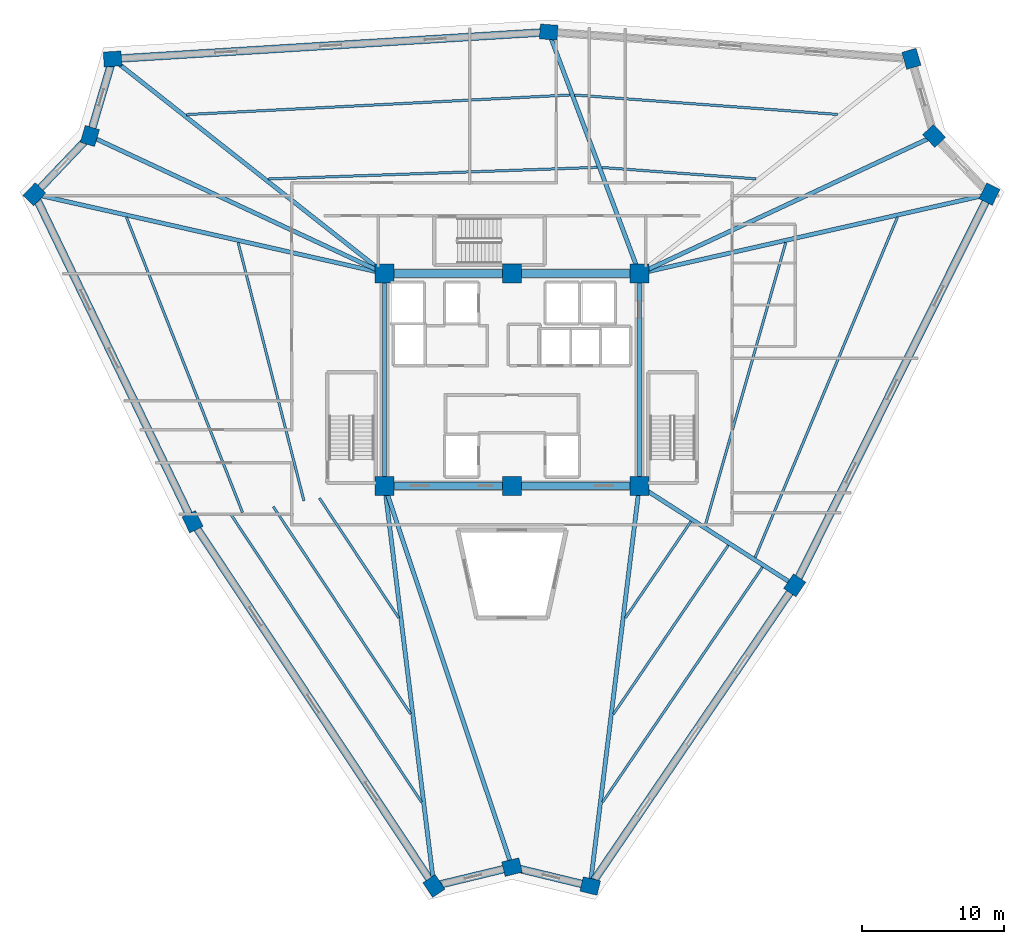
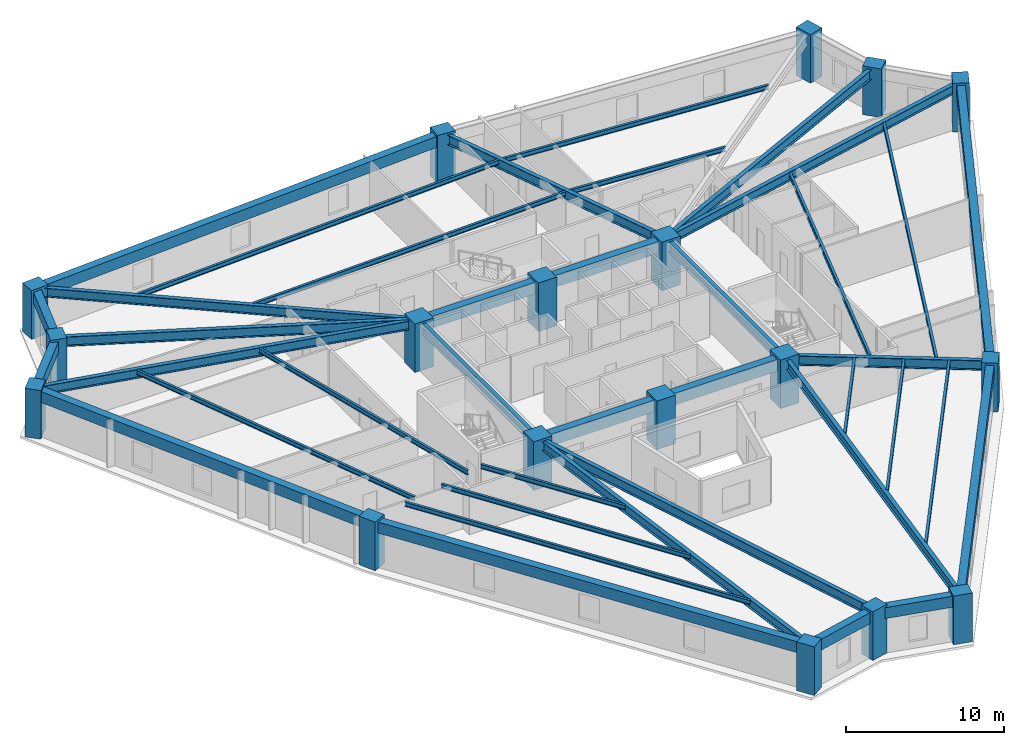
# One storey, part 1 of 8: 39 beams, 18 columns.
"""IFC4 building model written with IfcOpenShell, lengths in metres."""

from ifc_helpers import new_model, si_unit, direction, frame, origin, origin_2d, place, context, subcontext, project, spatial, rectangle, i_section, extrude, source, transform, mapped, material, material_profile, profile_set, type_object, element, save


model = new_model("IFC4")

# Units and contexts
model_context = context("Model", 3, precision=1e-05, world=origin(), true_north=direction((0.0, 1.0)))
body_context = subcontext(model_context, "Body", "Model", "MODEL_VIEW")
ifc_project = project(units=[si_unit("LENGTHUNIT", "METRE"), si_unit("AREAUNIT", "SQUARE_METRE"), si_unit("VOLUMEUNIT", "CUBIC_METRE"), si_unit("PLANEANGLEUNIT", "RADIAN"), si_unit("MASSUNIT", "GRAM", prefix="KILO")], contexts=[model_context])

# Site, building, storey
site_placement = place(None, origin())
site = spatial("IfcSite", under=ifc_project, at=site_placement, CompositionType="ELEMENT")
building_placement = place(site_placement, origin())
building = spatial("IfcBuilding", under=site, at=building_placement, Name="Liaohun Quay Tower", CompositionType="ELEMENT")
storey_placement = place(building_placement, frame((0.0, 0.0, 201.75)))
storey = spatial("IfcBuildingStorey", under=building, at=storey_placement, Name="L52", CompositionType="ELEMENT", Elevation=201.75)

# Columns
ifc_material_1 = material(Name="Concrete C55", Category="concrete")
ifc_material_profile_1 = material_profile(ifc_material_1, rectangle(XDim=1.35009765625, YDim=1.35009765625, at=origin_2d()), Name="RC1350x1350")
ifc_profile_set_1 = profile_set([ifc_material_profile_1], Name="Concrete C55")
column_type_1 = type_object("IfcColumnType", Name="COL-CC-Z3", PredefinedType="COLUMN", material=ifc_profile_set_1)
shared_shape_1 = source(origin(), body_context, "Body", "SweptSolid", [
    extrude(rectangle(XDim=1.35009765625, YDim=1.35009765625, at=origin_2d()), origin(), (0.0, 0.0, 1.0), 3.75),
])
for number, where, z_axis, x_axis, name in (
    (1, (51.0, 46.5, 0.0), (0.0, 0.0, 1.0), (1.0, 0.0, 0.0), "L52 Core Column CC1"),
    (2, (60.0, 46.5, 0.0), (0.0, 0.0, 1.0), (1.0, 0.0, 0.0), "L52 Core Column CC2"),
    (3, (69.0, 46.5, 0.0), (0.0, 0.0, 1.0), (1.0, 0.0, 0.0), "L52 Core Column CC3"),
    (4, (69.0, 61.5, 0.0), (0.0, 0.0, 1.0), (1.0, 0.0, 0.0), "L52 Core Column CC4"),
    (5, (60.0, 61.5, 0.0), (0.0, 0.0, 1.0), (1.0, 0.0, 0.0), "L52 Core Column CC5"),
    (6, (51.0, 61.5, 0.0), (0.0, 0.0, 1.0), (1.0, 0.0, 0.0), "L52 Core Column CC6"),
):
    element("IfcColumn", number, at=place(storey_placement, frame(where, z_axis=z_axis, x_axis=x_axis)), inside=storey, type_object=column_type_1, Name=name, PredefinedType="COLUMN", context=body_context, shape_type="MappedRepresentation", body=[
        mapped(shared_shape_1, transform((0.0, 0.0, 0.0), x_axis=(1.0, 0.0, 0.0), y_axis=(0.0, 1.0, 0.0), z_axis=(0.0, 0.0, 1.0), scale=1.0)),
    ])
ifc_material_profile_2 = material_profile(ifc_material_1, rectangle(XDim=1.25, YDim=1.050048828125, at=origin_2d()), Name="RC1250x1050")
ifc_profile_set_2 = profile_set([ifc_material_profile_2], Name="Concrete C55")
column_type_2 = type_object("IfcColumnType", Name="COL-PIER-Z3", PredefinedType="COLUMN", material=ifc_profile_set_2)
shared_shape_2 = source(origin(), body_context, "Body", "SweptSolid", [
    extrude(rectangle(XDim=1.25, YDim=1.050048828125, at=origin_2d()), origin(), (0.0, 0.0, 1.0), 3.75),
])
for number, where, z_axis, x_axis, name in (
    (7, (54.48388671875, 18.22998046875, 0.0), (0.0, 0.0, 1.0), (-0.552373531229, 0.833596714243, 0.0), "L52 Perimeter Pier PC01"),
    (8, (37.431884765625, 43.964111328125, 0.0), (0.0, 0.0, 1.0), (-0.434916802325, 0.900470640862, 0.0), "L52 Perimeter Pier PC02"),
    (9, (26.259033203125, 67.10302734375, 0.0), (0.0, 0.0, 1.0), (0.68936671806, 0.724412539946, 0.0), "L52 Perimeter Pier PC03"),
    (10, (30.176025390625, 71.218994140625, 0.0), (0.0, 0.0, 1.0), (0.282676303383, 0.959215360337, 0.0), "L52 Perimeter Pier PC04"),
    (11, (31.780029296875, 76.662109375, 0.0), (0.0, 0.0, 1.0), (0.998102696661, 0.061571153301, 0.0), "L52 Perimeter Pier PC05"),
    (12, (62.593017578125, 78.56201171875, 0.0), (0.0, 0.0, 1.0), (-0.997288851512, 0.073586321085, 0.0), "L52 Perimeter Pier PC06"),
    (13, (88.218017578125, 76.669921875, 0.0), (0.0, 0.0, 1.0), (-0.282676303383, 0.959215360337, 0.0), "L52 Perimeter Pier PC07"),
    (14, (89.823974609375, 71.218994140625, 0.0), (0.0, 0.0, 1.0), (-0.68936671806, 0.724412539946, 0.0), "L52 Perimeter Pier PC08"),
    (15, (93.736083984375, 67.10888671875, 0.0), (0.0, 0.0, 1.0), (0.445729165431, 0.895167867544, 0.0), "L52 Perimeter Pier PC09"),
    (16, (79.97509765625, 39.472900390625, 0.0), (0.0, 0.0, 1.0), (0.562516359159, 0.826786154745, 0.0), "L52 Perimeter Pier PC10"),
    (17, (65.52294921875, 18.22802734375, 0.0), (0.0, 0.0, 1.0), (-0.972043021443, 0.234802820391, 0.0), "L52 Perimeter Pier PC11"),
    (18, (60.0, 19.56201171875, 0.0), (0.0, 0.0, 1.0), (0.972043021443, 0.234802820391, 0.0), "L52 Perimeter Pier PC12"),
):
    element("IfcColumn", number, at=place(storey_placement, frame(where, z_axis=z_axis, x_axis=x_axis)), inside=storey, type_object=column_type_2, Name=name, PredefinedType="COLUMN", context=body_context, shape_type="MappedRepresentation", body=[
        mapped(shared_shape_2, transform((0.0, 0.0, 0.0), x_axis=(1.0, 0.0, 0.0), y_axis=(0.0, 1.0, 0.0), z_axis=(0.0, 0.0, 1.0), scale=1.0)),
    ])

# Beams
ifc_material_2 = material(Name="Steel Q355D", Category="steel")
ifc_material_profile_3 = material_profile(ifc_material_2, i_section(OverallWidth=0.300048828125, OverallDepth=0.800048828125, WebThickness=0.013916015625, FlangeThickness=0.02587890625, at=origin_2d()), Name="HN800x300x14x26")
ifc_profile_set_3 = profile_set([ifc_material_profile_3], Name="Steel Q355D")
beam_type_1 = type_object("IfcBeamType", Name="BM-RAD-M1", PredefinedType="BEAM", material=ifc_profile_set_3)
shared_shape_3 = source(origin(), body_context, "Body", "SweptSolid", [
    extrude(i_section(OverallWidth=0.300048828125, OverallDepth=0.800048828125, WebThickness=0.013916015625, FlangeThickness=0.02587890625, at=origin_2d()), origin(), (0.0, 0.0, 1.0), 15.0),
])
for number, where, z_axis, x_axis, name in (
    (19, (69.0, 46.5, 3.169921875), (0.0, 1.0, 0.0), (-1.0, 0.0, 0.0), "L52 Core Coupling/Ring Beam CC3-CC4"),
    (20, (51.0, 61.5, 3.169921875), (0.0, -1.0, 0.0), (1.0, 0.0, 0.0), "L52 Core Coupling/Ring Beam CC6-CC1"),
):
    element("IfcBeam", number, at=place(storey_placement, frame(where, z_axis=z_axis, x_axis=x_axis)), inside=storey, type_object=beam_type_1, Name=name, PredefinedType="BEAM", context=body_context, shape_type="MappedRepresentation", body=[
        mapped(shared_shape_3, transform((0.0, 0.0, 0.0), x_axis=(1.0, 0.0, 0.0), y_axis=(0.0, 1.0, 0.0), z_axis=(0.0, 0.0, 1.0), scale=1.0)),
    ])
ifc_material_profile_4 = material_profile(ifc_material_1, rectangle(XDim=0.550048828125, YDim=0.89990234375, at=origin_2d()), Name="RC550x900")
ifc_profile_set_4 = profile_set([ifc_material_profile_4], Name="Concrete C55")
beam_type_2 = type_object("IfcBeamType", Name="BM-CPL-2", PredefinedType="LINTEL", material=ifc_profile_set_4)
shared_shape_4 = source(origin(), body_context, "Body", "SweptSolid", [
    extrude(rectangle(XDim=0.550048828125, YDim=0.89990234375, at=origin_2d()), origin(), (0.0, 0.0, 1.0), 9.0),
])
for number, where, z_axis, x_axis, name in (
    (21, (51.0, 46.5, 3.1201171875), (1.0, 0.0, 0.0), (0.0, 1.0, 0.0), "L52 Core Coupling/Ring Beam CC1-CC2"),
    (22, (60.0, 46.5, 3.1201171875), (1.0, 0.0, 0.0), (0.0, 1.0, 0.0), "L52 Core Coupling/Ring Beam CC2-CC3"),
    (23, (69.0, 61.5, 3.1201171875), (-1.0, 0.0, 0.0), (0.0, -1.0, 0.0), "L52 Core Coupling/Ring Beam CC4-CC5"),
    (24, (60.0, 61.5, 3.1201171875), (-1.0, 0.0, 0.0), (0.0, -1.0, 0.0), "L52 Core Coupling/Ring Beam CC5-CC6"),
):
    element("IfcBeam", number, at=place(storey_placement, frame(where, z_axis=z_axis, x_axis=x_axis)), inside=storey, type_object=beam_type_2, Name=name, PredefinedType="LINTEL", context=body_context, shape_type="MappedRepresentation", body=[
        mapped(shared_shape_4, transform((0.0, 0.0, 0.0), x_axis=(1.0, 0.0, 0.0), y_axis=(0.0, 1.0, 0.0), z_axis=(0.0, 0.0, 1.0), scale=1.0)),
    ])
ifc_material_profile_5 = material_profile(ifc_material_2, i_section(OverallWidth=0.300048828125, OverallDepth=0.699951171875, WebThickness=0.012939453125, FlangeThickness=0.02392578125, at=origin_2d()), Name="HN700x300x13x24")
ifc_profile_set_5 = profile_set([ifc_material_profile_5], Name="Steel Q355D")
beam_type_3 = type_object("IfcBeamType", Name="BM-RAD-U1", PredefinedType="BEAM", material=ifc_profile_set_5)
shared_shape_5 = source(origin(), body_context, "Body", "SweptSolid", [
    extrude(i_section(OverallWidth=0.300048828125, OverallDepth=0.699951171875, WebThickness=0.012939453125, FlangeThickness=0.02392578125, at=origin_2d()), origin(), (0.0, 0.0, 1.0), 28.48388671875),
])
beam_1_placement = place(storey_placement, frame((51.0, 46.5, 3.219970703125), z_axis=(0.122310816118, -0.992491845942, 0.0), x_axis=(0.992491845942, 0.122310816118, 0.0)))
element("IfcBeam", 25, at=beam_1_placement, inside=storey, type_object=beam_type_3, Name="L52 Radial Primary Girder CC1-PC01", PredefinedType="BEAM", context=body_context, shape_type="MappedRepresentation", body=[
    mapped(shared_shape_5, transform((0.0, 0.0, 0.0), x_axis=(1.0, 0.0, 0.0), y_axis=(0.0, 1.0, 0.0), z_axis=(0.0, 0.0, 1.0), scale=1.0)),
])
shared_shape_6 = source(origin(), body_context, "Body", "SweptSolid", [
    extrude(i_section(OverallWidth=0.300048828125, OverallDepth=0.699951171875, WebThickness=0.012939453125, FlangeThickness=0.02392578125, at=origin_2d()), origin(), (0.0, 0.0, 1.0), 25.367431640625),
])
beam_2_placement = place(storey_placement, frame((51.0, 61.5, 3.219970703125), z_axis=(-0.975302268925, 0.220874362998, 0.0), x_axis=(-0.220874362998, -0.975302268925, 0.0)))
element("IfcBeam", 26, at=beam_2_placement, inside=storey, type_object=beam_type_3, Name="L52 Radial Primary Girder CC6-PC03", PredefinedType="BEAM", context=body_context, shape_type="MappedRepresentation", body=[
    mapped(shared_shape_6, transform((0.0, 0.0, 0.0), x_axis=(1.0, 0.0, 0.0), y_axis=(0.0, 1.0, 0.0), z_axis=(0.0, 0.0, 1.0), scale=1.0)),
])
ifc_material_profile_6 = material_profile(ifc_material_2, i_section(OverallWidth=0.300048828125, OverallDepth=0.75, WebThickness=0.013916015625, FlangeThickness=0.02587890625, at=origin_2d()), Name="HN750x300x14x26")
ifc_profile_set_6 = profile_set([ifc_material_profile_6], Name="Steel Q355D")
beam_type_4 = type_object("IfcBeamType", Name="BM-RAD-M2", PredefinedType="BEAM", material=ifc_profile_set_6)
shared_shape_7 = source(origin(), body_context, "Body", "SweptSolid", [
    extrude(i_section(OverallWidth=0.300048828125, OverallDepth=0.75, WebThickness=0.013916015625, FlangeThickness=0.02587890625, at=origin_2d()), origin(), (0.0, 0.0, 1.0), 22.98046875),
])
for number, where, z_axis, x_axis, name in (
    (27, (51.0, 61.5, 3.195068359375), (-0.906164140165, 0.422926176867, 0.0), (-0.422926176867, -0.906164140165, 0.0), "L52 Radial Primary Girder CC6-PC04"),
    (28, (69.0, 61.5, 3.195068359375), (0.906164140165, 0.422926176867, 0.0), (-0.422926176867, 0.906164140165, 0.0), "L52 Radial Primary Girder CC4-PC08"),
):
    element("IfcBeam", number, at=place(storey_placement, frame(where, z_axis=z_axis, x_axis=x_axis)), inside=storey, type_object=beam_type_4, Name=name, PredefinedType="BEAM", context=body_context, shape_type="MappedRepresentation", body=[
        mapped(shared_shape_7, transform((0.0, 0.0, 0.0), x_axis=(1.0, 0.0, 0.0), y_axis=(0.0, 1.0, 0.0), z_axis=(0.0, 0.0, 1.0), scale=1.0)),
    ])
shared_shape_8 = source(origin(), body_context, "Body", "SweptSolid", [
    extrude(i_section(OverallWidth=0.300048828125, OverallDepth=0.699951171875, WebThickness=0.012939453125, FlangeThickness=0.02392578125, at=origin_2d()), origin(), (0.0, 0.0, 1.0), 24.48046875),
])
beam_3_placement = place(storey_placement, frame((51.0, 61.5, 3.219970703125), z_axis=(-0.785112206262, 0.619353552972, 0.0), x_axis=(-0.619353552972, -0.785112206262, 0.0)))
element("IfcBeam", 29, at=beam_3_placement, inside=storey, type_object=beam_type_3, Name="L52 Radial Primary Girder CC6-PC05", PredefinedType="BEAM", context=body_context, shape_type="MappedRepresentation", body=[
    mapped(shared_shape_8, transform((0.0, 0.0, 0.0), x_axis=(1.0, 0.0, 0.0), y_axis=(0.0, 1.0, 0.0), z_axis=(0.0, 0.0, 1.0), scale=1.0)),
])
shared_shape_9 = source(origin(), body_context, "Body", "SweptSolid", [
    extrude(i_section(OverallWidth=0.300048828125, OverallDepth=0.75, WebThickness=0.013916015625, FlangeThickness=0.02587890625, at=origin_2d()), origin(), (0.0, 0.0, 1.0), 18.225341796875),
])
beam_4_placement = place(storey_placement, frame((69.0, 61.5, 3.195068359375), z_axis=(-0.351543260444, 0.936171638129, 0.0), x_axis=(-0.936171638129, -0.351543260444, 0.0)))
element("IfcBeam", 30, at=beam_4_placement, inside=storey, type_object=beam_type_4, Name="L52 Radial Primary Girder CC4-PC06", PredefinedType="BEAM", context=body_context, shape_type="MappedRepresentation", body=[
    mapped(shared_shape_9, transform((0.0, 0.0, 0.0), x_axis=(1.0, 0.0, 0.0), y_axis=(0.0, 1.0, 0.0), z_axis=(0.0, 0.0, 1.0), scale=1.0)),
])
shared_shape_10 = source(origin(), body_context, "Body", "SweptSolid", [
    extrude(i_section(OverallWidth=0.300048828125, OverallDepth=0.699951171875, WebThickness=0.012939453125, FlangeThickness=0.02392578125, at=origin_2d()), origin(), (0.0, 0.0, 1.0), 25.364013671875),
])
beam_5_placement = place(storey_placement, frame((69.0, 61.5, 3.219970703125), z_axis=(0.975243077995, 0.221135566615, 0.0), x_axis=(-0.221135566615, 0.975243077995, 0.0)))
element("IfcBeam", 31, at=beam_5_placement, inside=storey, type_object=beam_type_3, Name="L52 Radial Primary Girder CC4-PC09", PredefinedType="BEAM", context=body_context, shape_type="MappedRepresentation", body=[
    mapped(shared_shape_10, transform((0.0, 0.0, 0.0), x_axis=(1.0, 0.0, 0.0), y_axis=(0.0, 1.0, 0.0), z_axis=(0.0, 0.0, 1.0), scale=1.0)),
])
shared_shape_11 = source(origin(), body_context, "Body", "SweptSolid", [
    extrude(i_section(OverallWidth=0.300048828125, OverallDepth=0.75, WebThickness=0.013916015625, FlangeThickness=0.02587890625, at=origin_2d()), origin(), (0.0, 0.0, 1.0), 13.031982421875),
])
beam_6_placement = place(storey_placement, frame((69.0, 46.5, 3.195068359375), z_axis=(0.842165572756, -0.539219016787, 0.0), x_axis=(0.539219016787, 0.842165572756, 0.0)))
element("IfcBeam", 32, at=beam_6_placement, inside=storey, type_object=beam_type_4, Name="L52 Radial Primary Girder CC3-PC10", PredefinedType="BEAM", context=body_context, shape_type="MappedRepresentation", body=[
    mapped(shared_shape_11, transform((0.0, 0.0, 0.0), x_axis=(1.0, 0.0, 0.0), y_axis=(0.0, 1.0, 0.0), z_axis=(0.0, 0.0, 1.0), scale=1.0)),
])
shared_shape_12 = source(origin(), body_context, "Body", "SweptSolid", [
    extrude(i_section(OverallWidth=0.300048828125, OverallDepth=0.699951171875, WebThickness=0.012939453125, FlangeThickness=0.02392578125, at=origin_2d()), origin(), (0.0, 0.0, 1.0), 28.48486328125),
])
beam_7_placement = place(storey_placement, frame((69.0, 46.5, 3.219970703125), z_axis=(-0.122066095149, -0.992521973769, 0.0), x_axis=(0.992521973769, -0.122066095149, 0.0)))
element("IfcBeam", 33, at=beam_7_placement, inside=storey, type_object=beam_type_3, Name="L52 Radial Primary Girder CC3-PC11", PredefinedType="BEAM", context=body_context, shape_type="MappedRepresentation", body=[
    mapped(shared_shape_12, transform((0.0, 0.0, 0.0), x_axis=(1.0, 0.0, 0.0), y_axis=(0.0, 1.0, 0.0), z_axis=(0.0, 0.0, 1.0), scale=1.0)),
])
shared_shape_13 = source(origin(), body_context, "Body", "SweptSolid", [
    extrude(i_section(OverallWidth=0.300048828125, OverallDepth=0.75, WebThickness=0.013916015625, FlangeThickness=0.02587890625, at=origin_2d()), origin(), (0.0, 0.0, 1.0), 28.401611328125),
])
beam_8_placement = place(storey_placement, frame((51.0, 46.5, 3.195068359375), z_axis=(0.316882705348, -0.948464733689, 0.0), x_axis=(0.948464733689, 0.316882705348, 0.0)))
element("IfcBeam", 34, at=beam_8_placement, inside=storey, type_object=beam_type_4, Name="L52 Radial Primary Girder CC1-PC12", PredefinedType="BEAM", context=body_context, shape_type="MappedRepresentation", body=[
    mapped(shared_shape_13, transform((0.0, 0.0, 0.0), x_axis=(1.0, 0.0, 0.0), y_axis=(0.0, 1.0, 0.0), z_axis=(0.0, 0.0, 1.0), scale=1.0)),
])
ifc_material_profile_7 = material_profile(ifc_material_2, i_section(OverallWidth=0.175048828125, OverallDepth=0.35009765625, WebThickness=0.007080078125, FlangeThickness=0.010986328125, at=origin_2d()), Name="HN350x175x7x11")
ifc_profile_set_7 = profile_set([ifc_material_profile_7], Name="Steel Q355D")
beam_type_5 = type_object("IfcBeamType", Name="BM-SEC-J3", PredefinedType="JOIST", material=ifc_profile_set_7)
shared_shape_14 = source(origin(), body_context, "Body", "SweptSolid", [
    extrude(i_section(OverallWidth=0.175048828125, OverallDepth=0.35009765625, WebThickness=0.007080078125, FlangeThickness=0.010986328125, at=origin_2d()), origin(), (0.0, 0.0, 1.0), 10.160400390625),
])
beam_9_placement = place(storey_placement, frame((51.9990234375, 37.16796875, 3.39501953125), z_axis=(-0.552341337605, 0.833618046093, 0.0), x_axis=(-0.833618046093, -0.552341337605, 0.0)))
element("IfcBeam", 35, at=beam_9_placement, inside=storey, type_object=beam_type_5, Name="L52 Wing Secondary Floor Joist SJ-01", PredefinedType="JOIST", context=body_context, shape_type="MappedRepresentation", body=[
    mapped(shared_shape_14, transform((0.0, 0.0, 0.0), x_axis=(1.0, 0.0, 0.0), y_axis=(0.0, 1.0, 0.0), z_axis=(0.0, 0.0, 1.0), scale=1.0)),
])
shared_shape_15 = source(origin(), body_context, "Body", "SweptSolid", [
    extrude(i_section(OverallWidth=0.175048828125, OverallDepth=0.35009765625, WebThickness=0.007080078125, FlangeThickness=0.010986328125, at=origin_2d()), origin(), (0.0, 0.0, 1.0), 17.568115234375),
])
beam_10_placement = place(storey_placement, frame((52.8349609375, 30.384033203125, 3.39501953125), z_axis=(-0.552353721459, 0.833609840627, 0.0), x_axis=(-0.833609840627, -0.552353721459, 0.0)))
element("IfcBeam", 36, at=beam_10_placement, inside=storey, type_object=beam_type_5, Name="L52 Wing Secondary Floor Joist SJ-02", PredefinedType="JOIST", context=body_context, shape_type="MappedRepresentation", body=[
    mapped(shared_shape_15, transform((0.0, 0.0, 0.0), x_axis=(1.0, 0.0, 0.0), y_axis=(0.0, 1.0, 0.0), z_axis=(0.0, 0.0, 1.0), scale=1.0)),
])
shared_shape_16 = source(origin(), body_context, "Body", "SweptSolid", [
    extrude(i_section(OverallWidth=0.175048828125, OverallDepth=0.35009765625, WebThickness=0.007080078125, FlangeThickness=0.010986328125, at=origin_2d()), origin(), (0.0, 0.0, 1.0), 24.360595703125),
])
beam_11_placement = place(storey_placement, frame((53.60205078125, 24.1640625, 3.39501953125), z_axis=(-0.552371386641, 0.833598135327, 0.0), x_axis=(-0.833598135327, -0.552371386641, 0.0)))
element("IfcBeam", 37, at=beam_11_placement, inside=storey, type_object=beam_type_5, Name="L52 Wing Secondary Floor Joist SJ-03", PredefinedType="JOIST", context=body_context, shape_type="MappedRepresentation", body=[
    mapped(shared_shape_16, transform((0.0, 0.0, 0.0), x_axis=(1.0, 0.0, 0.0), y_axis=(0.0, 1.0, 0.0), z_axis=(0.0, 0.0, 1.0), scale=1.0)),
])
shared_shape_17 = source(origin(), body_context, "Body", "SweptSolid", [
    extrude(i_section(OverallWidth=0.175048828125, OverallDepth=0.35009765625, WebThickness=0.007080078125, FlangeThickness=0.010986328125, at=origin_2d()), origin(), (0.0, 0.0, 1.0), 18.838134765625),
])
beam_12_placement = place(storey_placement, frame((45.301025390625, 45.43505859375, 3.39501953125), z_axis=(-0.246899907141, 0.969040987706, 0.0), x_axis=(-0.969040987706, -0.246899907141, 0.0)))
element("IfcBeam", 38, at=beam_12_placement, inside=storey, type_object=beam_type_5, Name="L52 Wing Secondary Floor Joist SJ-04", PredefinedType="JOIST", context=body_context, shape_type="MappedRepresentation", body=[
    mapped(shared_shape_17, transform((0.0, 0.0, 0.0), x_axis=(1.0, 0.0, 0.0), y_axis=(0.0, 1.0, 0.0), z_axis=(0.0, 0.0, 1.0), scale=1.0)),
])
shared_shape_18 = source(origin(), body_context, "Body", "SweptSolid", [
    extrude(i_section(OverallWidth=0.175048828125, OverallDepth=0.35009765625, WebThickness=0.007080078125, FlangeThickness=0.010986328125, at=origin_2d()), origin(), (0.0, 0.0, 1.0), 22.408935546875),
])
beam_13_placement = place(storey_placement, frame((40.9599609375, 44.623046875, 3.39501953125), z_axis=(-0.366010320343, 0.930610791578, 0.0), x_axis=(-0.930610791578, -0.366010320343, 0.0)))
element("IfcBeam", 39, at=beam_13_placement, inside=storey, type_object=beam_type_5, Name="L52 Wing Secondary Floor Joist SJ-05", PredefinedType="JOIST", context=body_context, shape_type="MappedRepresentation", body=[
    mapped(shared_shape_18, transform((0.0, 0.0, 0.0), x_axis=(1.0, 0.0, 0.0), y_axis=(0.0, 1.0, 0.0), z_axis=(0.0, 0.0, 1.0), scale=1.0)),
])
shared_shape_19 = source(origin(), body_context, "Body", "SweptSolid", [
    extrude(i_section(OverallWidth=0.175048828125, OverallDepth=0.35009765625, WebThickness=0.007080078125, FlangeThickness=0.010986328125, at=origin_2d()), origin(), (0.0, 0.0, 1.0), 23.2626953125),
])
beam_14_placement = place(storey_placement, frame((42.77490234375, 68.178955078125, 3.39501953125), z_axis=(0.999373982167, 0.035378577815, 0.0), x_axis=(-0.035378577815, 0.999373982167, 0.0)))
element("IfcBeam", 40, at=beam_14_placement, inside=storey, type_object=beam_type_5, Name="L52 Wing Secondary Floor Joist SJ-06", PredefinedType="JOIST", context=body_context, shape_type="MappedRepresentation", body=[
    mapped(shared_shape_19, transform((0.0, 0.0, 0.0), x_axis=(1.0, 0.0, 0.0), y_axis=(0.0, 1.0, 0.0), z_axis=(0.0, 0.0, 1.0), scale=1.0)),
])
shared_shape_20 = source(origin(), body_context, "Body", "SweptSolid", [
    extrude(i_section(OverallWidth=0.175048828125, OverallDepth=0.35009765625, WebThickness=0.007080078125, FlangeThickness=0.010986328125, at=origin_2d()), origin(), (0.0, 0.0, 1.0), 27.132568359375),
])
beam_15_placement = place(storey_placement, frame((37.0048828125, 72.73193359375, 3.39501953125), z_axis=(0.998694463673, 0.051081975586, 0.0), x_axis=(-0.051081975586, 0.998694463673, 0.0)))
element("IfcBeam", 41, at=beam_15_placement, inside=storey, type_object=beam_type_5, Name="L52 Wing Secondary Floor Joist SJ-07", PredefinedType="JOIST", context=body_context, shape_type="MappedRepresentation", body=[
    mapped(shared_shape_20, transform((0.0, 0.0, 0.0), x_axis=(1.0, 0.0, 0.0), y_axis=(0.0, 1.0, 0.0), z_axis=(0.0, 0.0, 1.0), scale=1.0)),
])
shared_shape_21 = source(origin(), body_context, "Body", "SweptSolid", [
    extrude(i_section(OverallWidth=0.175048828125, OverallDepth=0.35009765625, WebThickness=0.007080078125, FlangeThickness=0.010986328125, at=origin_2d()), origin(), (0.0, 0.0, 1.0), 10.918701171875),
])
beam_16_placement = place(storey_placement, frame((66.345947265625, 68.9951171875, 3.39501953125), z_axis=(0.99728395866, -0.073652602122, 0.0), x_axis=(0.073652602122, 0.99728395866, 0.0)))
element("IfcBeam", 42, at=beam_16_placement, inside=storey, type_object=beam_type_5, Name="L52 Wing Secondary Floor Joist SJ-08", PredefinedType="JOIST", context=body_context, shape_type="MappedRepresentation", body=[
    mapped(shared_shape_21, transform((0.0, 0.0, 0.0), x_axis=(1.0, 0.0, 0.0), y_axis=(0.0, 1.0, 0.0), z_axis=(0.0, 0.0, 1.0), scale=1.0)),
])
shared_shape_22 = source(origin(), body_context, "Body", "SweptSolid", [
    extrude(i_section(OverallWidth=0.175048828125, OverallDepth=0.35009765625, WebThickness=0.007080078125, FlangeThickness=0.010986328125, at=origin_2d()), origin(), (0.0, 0.0, 1.0), 18.62646484375),
])
beam_17_placement = place(storey_placement, frame((64.424072265625, 74.114013671875, 3.39501953125), z_axis=(0.997283253591, -0.073662148398, 0.0), x_axis=(0.073662148398, 0.997283253591, 0.0)))
element("IfcBeam", 43, at=beam_17_placement, inside=storey, type_object=beam_type_5, Name="L52 Wing Secondary Floor Joist SJ-09", PredefinedType="JOIST", context=body_context, shape_type="MappedRepresentation", body=[
    mapped(shared_shape_22, transform((0.0, 0.0, 0.0), x_axis=(1.0, 0.0, 0.0), y_axis=(0.0, 1.0, 0.0), z_axis=(0.0, 0.0, 1.0), scale=1.0)),
])
shared_shape_23 = source(origin(), body_context, "Body", "SweptSolid", [
    extrude(i_section(OverallWidth=0.175048828125, OverallDepth=0.35009765625, WebThickness=0.007080078125, FlangeThickness=0.010986328125, at=origin_2d()), origin(), (0.0, 0.0, 1.0), 20.785888671875),
])
beam_18_placement = place(storey_placement, frame((79.342041015625, 63.69091796875, 3.39501953125), z_axis=(-0.273740568451, -0.961803566839, 0.0), x_axis=(0.961803566839, -0.273740568451, 0.0)))
element("IfcBeam", 44, at=beam_18_placement, inside=storey, type_object=beam_type_5, Name="L52 Wing Secondary Floor Joist SJ-10", PredefinedType="JOIST", context=body_context, shape_type="MappedRepresentation", body=[
    mapped(shared_shape_23, transform((0.0, 0.0, 0.0), x_axis=(1.0, 0.0, 0.0), y_axis=(0.0, 1.0, 0.0), z_axis=(0.0, 0.0, 1.0), scale=1.0)),
])
shared_shape_24 = source(origin(), body_context, "Body", "SweptSolid", [
    extrude(i_section(OverallWidth=0.175048828125, OverallDepth=0.35009765625, WebThickness=0.007080078125, FlangeThickness=0.010986328125, at=origin_2d()), origin(), (0.0, 0.0, 1.0), 26.0576171875),
])
beam_19_placement = place(storey_placement, frame((87.23388671875, 65.48095703125, 3.39501953125), z_axis=(-0.385833824036, -0.922568295699, 0.0), x_axis=(0.922568295699, -0.385833824036, 0.0)))
element("IfcBeam", 45, at=beam_19_placement, inside=storey, type_object=beam_type_5, Name="L52 Wing Secondary Floor Joist SJ-11", PredefinedType="JOIST", context=body_context, shape_type="MappedRepresentation", body=[
    mapped(shared_shape_24, transform((0.0, 0.0, 0.0), x_axis=(1.0, 0.0, 0.0), y_axis=(0.0, 1.0, 0.0), z_axis=(0.0, 0.0, 1.0), scale=1.0)),
])
shared_shape_25 = source(origin(), body_context, "Body", "SweptSolid", [
    extrude(i_section(OverallWidth=0.175048828125, OverallDepth=0.35009765625, WebThickness=0.007080078125, FlangeThickness=0.010986328125, at=origin_2d()), origin(), (0.0, 0.0, 1.0), 8.25830078125),
])
beam_20_placement = place(storey_placement, frame((72.64697265625, 43.987060546875, 3.39501953125), z_axis=(-0.562466883135, -0.826819814334, 0.0), x_axis=(0.826819814334, -0.562466883135, 0.0)))
element("IfcBeam", 46, at=beam_20_placement, inside=storey, type_object=beam_type_5, Name="L52 Wing Secondary Floor Joist SJ-12", PredefinedType="JOIST", context=body_context, shape_type="MappedRepresentation", body=[
    mapped(shared_shape_25, transform((0.0, 0.0, 0.0), x_axis=(1.0, 0.0, 0.0), y_axis=(0.0, 1.0, 0.0), z_axis=(0.0, 0.0, 1.0), scale=1.0)),
])
shared_shape_26 = source(origin(), body_context, "Body", "SweptSolid", [
    extrude(i_section(OverallWidth=0.175048828125, OverallDepth=0.35009765625, WebThickness=0.007080078125, FlangeThickness=0.010986328125, at=origin_2d()), origin(), (0.0, 0.0, 1.0), 14.4248046875),
])
beam_21_placement = place(storey_placement, frame((75.281005859375, 42.300048828125, 3.39501953125), z_axis=(-0.562436860197, -0.826840237465, 0.0), x_axis=(0.826840237465, -0.562436860197, 0.0)))
element("IfcBeam", 47, at=beam_21_placement, inside=storey, type_object=beam_type_5, Name="L52 Wing Secondary Floor Joist SJ-13", PredefinedType="JOIST", context=body_context, shape_type="MappedRepresentation", body=[
    mapped(shared_shape_26, transform((0.0, 0.0, 0.0), x_axis=(1.0, 0.0, 0.0), y_axis=(0.0, 1.0, 0.0), z_axis=(0.0, 0.0, 1.0), scale=1.0)),
])
shared_shape_27 = source(origin(), body_context, "Body", "SweptSolid", [
    extrude(i_section(OverallWidth=0.175048828125, OverallDepth=0.35009765625, WebThickness=0.007080078125, FlangeThickness=0.010986328125, at=origin_2d()), origin(), (0.0, 0.0, 1.0), 20.076904296875),
])
beam_22_placement = place(storey_placement, frame((77.696044921875, 40.75390625, 3.39501953125), z_axis=(-0.562482633568, -0.826809099451, 0.0), x_axis=(0.826809099451, -0.562482633568, 0.0)))
element("IfcBeam", 48, at=beam_22_placement, inside=storey, type_object=beam_type_5, Name="L52 Wing Secondary Floor Joist SJ-14", PredefinedType="JOIST", context=body_context, shape_type="MappedRepresentation", body=[
    mapped(shared_shape_27, transform((0.0, 0.0, 0.0), x_axis=(1.0, 0.0, 0.0), y_axis=(0.0, 1.0, 0.0), z_axis=(0.0, 0.0, 1.0), scale=1.0)),
])
ifc_material_3 = material(Name="Precast concrete C50", Category="concrete")
ifc_material_profile_8 = material_profile(ifc_material_3, rectangle(XDim=0.550048828125, YDim=0.85009765625, at=origin_2d()), Name="RC550x850")
ifc_profile_set_8 = profile_set([ifc_material_profile_8], Name="Precast concrete C50")
beam_type_6 = type_object("IfcBeamType", Name="BM-SPD-Z3", PredefinedType="SPANDREL", material=ifc_profile_set_8)
shared_shape_28 = source(origin(), body_context, "Body", "SweptSolid", [
    extrude(rectangle(XDim=0.550048828125, YDim=0.85009765625, at=origin_2d()), origin(), (0.0, 0.0, 1.0), 30.870849609375),
])
beam_23_placement = place(storey_placement, frame((54.48388671875, 18.22998046875, 3.14501953125), z_axis=(-0.552363811964, 0.833603154524, 0.0), x_axis=(-0.833603154524, -0.552363811964, 0.0)))
element("IfcBeam", 49, at=beam_23_placement, inside=storey, type_object=beam_type_6, Name="L52 Precast Spandrel Beam PC01-PC02", PredefinedType="SPANDREL", context=body_context, shape_type="MappedRepresentation", body=[
    mapped(shared_shape_28, transform((0.0, 0.0, 0.0), x_axis=(1.0, 0.0, 0.0), y_axis=(0.0, 1.0, 0.0), z_axis=(0.0, 0.0, 1.0), scale=1.0)),
])
shared_shape_29 = source(origin(), body_context, "Body", "SweptSolid", [
    extrude(rectangle(XDim=0.550048828125, YDim=0.85009765625, at=origin_2d()), origin(), (0.0, 0.0, 1.0), 25.695068359375),
])
beam_24_placement = place(storey_placement, frame((37.431884765625, 43.964111328125, 3.14501953125), z_axis=(-0.434822931716, 0.900515973237, 0.0), x_axis=(-0.900515973237, -0.434822931716, 0.0)))
element("IfcBeam", 50, at=beam_24_placement, inside=storey, type_object=beam_type_6, Name="L52 Precast Spandrel Beam PC02-PC03", PredefinedType="SPANDREL", context=body_context, shape_type="MappedRepresentation", body=[
    mapped(shared_shape_29, transform((0.0, 0.0, 0.0), x_axis=(1.0, 0.0, 0.0), y_axis=(0.0, 1.0, 0.0), z_axis=(0.0, 0.0, 1.0), scale=1.0)),
])
shared_shape_30 = source(origin(), body_context, "Body", "SweptSolid", [
    extrude(rectangle(XDim=0.550048828125, YDim=0.85009765625, at=origin_2d()), origin(), (0.0, 0.0, 1.0), 5.681884765625),
])
for number, where, z_axis, x_axis, name in (
    (51, (26.259033203125, 67.10302734375, 3.14501953125), (0.689380453847, 0.724399468425, 0.0), (-0.724399468425, 0.689380453847, 0.0), "L52 Precast Spandrel Beam PC03-PC04"),
    (52, (65.52294921875, 18.22802734375, 3.14501953125), (-0.972047726217, 0.234783342589, 0.0), (-0.234783342589, -0.972047726217, 0.0), "L52 Precast Spandrel Beam PC11-PC12"),
):
    element("IfcBeam", number, at=place(storey_placement, frame(where, z_axis=z_axis, x_axis=x_axis)), inside=storey, type_object=beam_type_6, Name=name, PredefinedType="SPANDREL", context=body_context, shape_type="MappedRepresentation", body=[
        mapped(shared_shape_30, transform((0.0, 0.0, 0.0), x_axis=(1.0, 0.0, 0.0), y_axis=(0.0, 1.0, 0.0), z_axis=(0.0, 0.0, 1.0), scale=1.0)),
    ])
shared_shape_31 = source(origin(), body_context, "Body", "SweptSolid", [
    extrude(rectangle(XDim=0.550048828125, YDim=0.85009765625, at=origin_2d()), origin(), (0.0, 0.0, 1.0), 5.674560546875),
])
for number, where, z_axis, x_axis, name in (
    (53, (30.176025390625, 71.218994140625, 3.14501953125), (0.282667089341, 0.959218075624, 0.0), (-0.959218075624, 0.282667089341, 0.0), "L52 Precast Spandrel Beam PC04-PC05"),
    (54, (60.0, 19.56201171875, 3.14501953125), (-0.972059870924, -0.234733055491, 0.0), (0.234733055491, -0.972059870924, 0.0), "L52 Precast Spandrel Beam PC12-PC01"),
):
    element("IfcBeam", number, at=place(storey_placement, frame(where, z_axis=z_axis, x_axis=x_axis)), inside=storey, type_object=beam_type_6, Name=name, PredefinedType="SPANDREL", context=body_context, shape_type="MappedRepresentation", body=[
        mapped(shared_shape_31, transform((0.0, 0.0, 0.0), x_axis=(1.0, 0.0, 0.0), y_axis=(0.0, 1.0, 0.0), z_axis=(0.0, 0.0, 1.0), scale=1.0)),
    ])
shared_shape_32 = source(origin(), body_context, "Body", "SweptSolid", [
    extrude(rectangle(XDim=0.550048828125, YDim=0.85009765625, at=origin_2d()), origin(), (0.0, 0.0, 1.0), 30.87158203125),
])
beam_25_placement = place(storey_placement, frame((31.780029296875, 76.662109375, 3.14501953125), z_axis=(0.998104478413, 0.061542263299, 0.0), x_axis=(-0.061542263299, 0.998104478413, 0.0)))
element("IfcBeam", 55, at=beam_25_placement, inside=storey, type_object=beam_type_6, Name="L52 Precast Spandrel Beam PC05-PC06", PredefinedType="SPANDREL", context=body_context, shape_type="MappedRepresentation", body=[
    mapped(shared_shape_32, transform((0.0, 0.0, 0.0), x_axis=(1.0, 0.0, 0.0), y_axis=(0.0, 1.0, 0.0), z_axis=(0.0, 0.0, 1.0), scale=1.0)),
])
shared_shape_33 = source(origin(), body_context, "Body", "SweptSolid", [
    extrude(rectangle(XDim=0.550048828125, YDim=0.85009765625, at=origin_2d()), origin(), (0.0, 0.0, 1.0), 30.87255859375),
])
beam_26_placement = place(storey_placement, frame((93.736083984375, 67.10888671875, 3.14501953125), z_axis=(-0.4457357667, -0.895164580557, 0.0), x_axis=(0.895164580557, -0.4457357667, 0.0)))
element("IfcBeam", 56, at=beam_26_placement, inside=storey, type_object=beam_type_6, Name="L52 Precast Spandrel Beam PC09-PC10", PredefinedType="SPANDREL", context=body_context, shape_type="MappedRepresentation", body=[
    mapped(shared_shape_33, transform((0.0, 0.0, 0.0), x_axis=(1.0, 0.0, 0.0), y_axis=(0.0, 1.0, 0.0), z_axis=(0.0, 0.0, 1.0), scale=1.0)),
])
shared_shape_34 = source(origin(), body_context, "Body", "SweptSolid", [
    extrude(rectangle(XDim=0.550048828125, YDim=0.85009765625, at=origin_2d()), origin(), (0.0, 0.0, 1.0), 25.694580078125),
])
beam_27_placement = place(storey_placement, frame((79.97509765625, 39.472900390625, 3.14501953125), z_axis=(-0.5624599699, -0.82682451721, 0.0), x_axis=(0.82682451721, -0.5624599699, 0.0)))
element("IfcBeam", 57, at=beam_27_placement, inside=storey, type_object=beam_type_6, Name="L52 Precast Spandrel Beam PC10-PC11", PredefinedType="SPANDREL", context=body_context, shape_type="MappedRepresentation", body=[
    mapped(shared_shape_34, transform((0.0, 0.0, 0.0), x_axis=(1.0, 0.0, 0.0), y_axis=(0.0, 1.0, 0.0), z_axis=(0.0, 0.0, 1.0), scale=1.0)),
])

save(model, "model.ifc")
